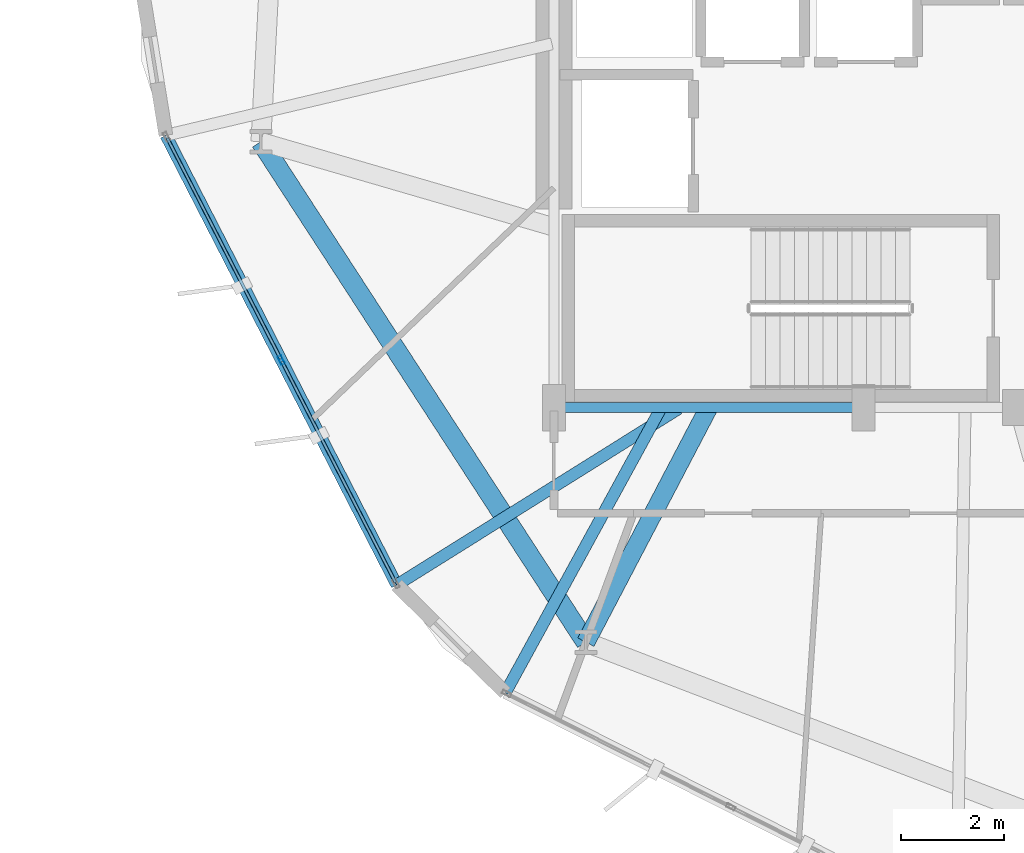
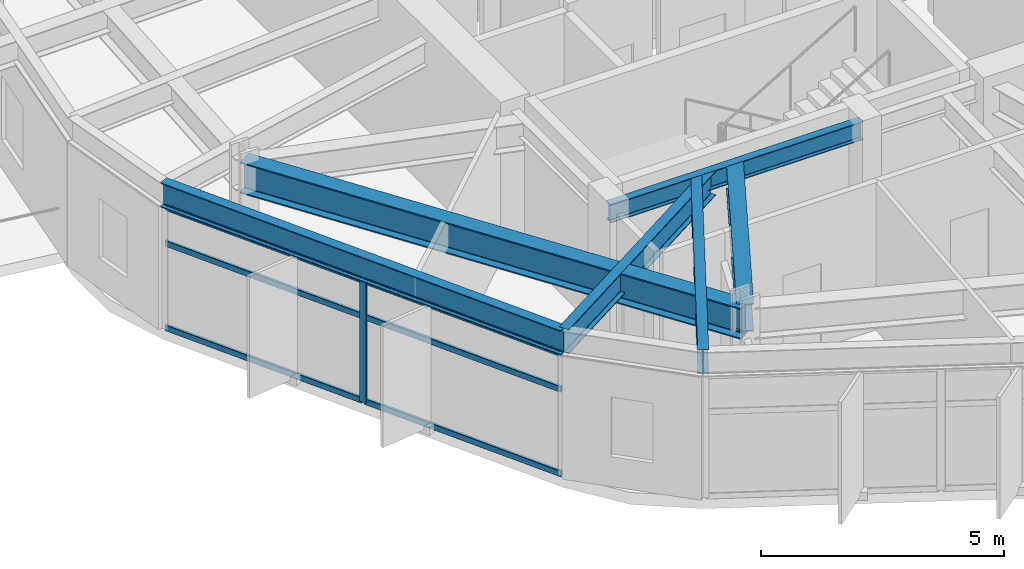
# One storey, part 3 of 23: 7 members, 6 beams, 1 element without a shape of its own.
"""IFC4 building model written with IfcOpenShell, lengths in metres."""

from ifc_helpers import new_model, si_unit, direction, frame, origin, origin_2d, place, context, subcontext, project, spatial, hollow_rectangle, i_section, extrude, material, layer, layer_set, material_profile, profile_set, type_object, element, aggregate, save


model = new_model("IFC4")

# Units and contexts
model_context = context("Model", 3, precision=1e-05, world=origin(), true_north=direction((0.0, 1.0)))
body_context = subcontext(model_context, "Body", "Model", "MODEL_VIEW")
ifc_project = project(units=[si_unit("LENGTHUNIT", "METRE"), si_unit("AREAUNIT", "SQUARE_METRE"), si_unit("VOLUMEUNIT", "CUBIC_METRE"), si_unit("PLANEANGLEUNIT", "RADIAN"), si_unit("MASSUNIT", "GRAM", prefix="KILO")], contexts=[model_context])

# Site, building, storey
site_placement = place(None, origin())
site = spatial("IfcSite", under=ifc_project, at=site_placement, CompositionType="ELEMENT")
building_placement = place(site_placement, origin())
building = spatial("IfcBuilding", under=site, at=building_placement, Name="Soratama Intermodal Tower", CompositionType="ELEMENT")
storey_placement = place(building_placement, frame((0.0, 0.0, 62.60009765625)))
storey = spatial("IfcBuildingStorey", under=building, at=storey_placement, Name="L14", CompositionType="ELEMENT", Elevation=62.60009765625)

# Beams
ifc_material_1 = material(Name="Structural steel ASTM A992 Grade 50", Category="steel")
ifc_material_profile_1 = material_profile(ifc_material_1, i_section(OverallWidth=0.19091796875, OverallDepth=0.4599609375, WebThickness=0.010009765625, FlangeThickness=0.01611328125, FilletRadius=0.010986328125, at=origin_2d()), Name="W18X55")
ifc_profile_set_1 = profile_set([ifc_material_profile_1], Name="Structural steel ASTM A992 Grade 50")
beam_type_1 = type_object("IfcBeamType", Name="BM-FLR-W18X55", PredefinedType="BEAM", material=ifc_profile_set_1)
beam_1_placement = place(storey_placement, frame((32.60009765625, 15.0, 3.469970703125), z_axis=(1.0, 0.0, 0.0), x_axis=(0.0, 1.0, 0.0)))
element("IfcBeam", 1, at=beam_1_placement, inside=storey, type_object=beam_type_1, Name="BM-L14-CRING-01", PredefinedType="BEAM", context=body_context, shape_type="SweptSolid", body=[
    extrude(i_section(OverallWidth=0.19091796875, OverallDepth=0.4599609375, WebThickness=0.010009765625, FlangeThickness=0.01611328125, FilletRadius=0.010986328125, at=origin_2d()), origin(), (0.0, 0.0, 1.0), 6.0),
])
ifc_material_2 = material(Name="Structural steel ASTM A992 Grade 50", Category="steel")
ifc_material_profile_2 = material_profile(ifc_material_2, i_section(OverallWidth=0.35498046875, OverallDepth=0.695068359375, WebThickness=0.015380859375, FlangeThickness=0.02490234375, FilletRadius=0.01611328125, at=origin_2d()), Name="W27X146")
ifc_profile_set_2 = profile_set([ifc_material_profile_2], Name="Structural steel ASTM A992 Grade 50")
beam_type_2 = type_object("IfcBeamType", Name="BM-RING-W27X146", PredefinedType="BEAM", material=ifc_profile_set_2)
beam_2_placement = place(storey_placement, frame((35.60009765625, 15.0, 3.352294921875), z_axis=(-0.463818619792, -0.885930182314, 0.0), x_axis=(0.885930182314, -0.463818619792, 0.0)))
element("IfcBeam", 2, at=beam_2_placement, inside=storey, type_object=beam_type_2, Name="BM-L14-RAD-07", PredefinedType="BEAM", context=body_context, shape_type="SweptSolid", body=[
    extrude(i_section(OverallWidth=0.35498046875, OverallDepth=0.695068359375, WebThickness=0.015380859375, FlangeThickness=0.02490234375, FilletRadius=0.01611328125, at=origin_2d()), origin(), (0.0, 0.0, 1.0), 5.1337890625),
])
ifc_material_3 = material(Name="Structural steel ASTM A992 Grade 50", Category="steel")
ifc_material_profile_3 = material_profile(ifc_material_3, i_section(OverallWidth=0.382080078125, OverallDepth=0.779052734375, WebThickness=0.01806640625, FlangeThickness=0.030029296875, FilletRadius=0.01806640625, at=origin_2d()), Name="W30X191")
ifc_profile_set_3 = profile_set([ifc_material_profile_3], Name="Structural steel ASTM A992 Grade 50")
beam_type_3 = type_object("IfcBeamType", Name="BM-RING-W30X191", PredefinedType="BEAM", material=ifc_profile_set_3)
beam_3_placement = place(storey_placement, frame((26.91796875, 20.155029296875, 3.310302734375), z_axis=(0.544623370352, -0.838680740489, 0.0), x_axis=(0.838680740489, 0.544623370352, 0.0)))
element("IfcBeam", 3, at=beam_3_placement, inside=storey, type_object=beam_type_3, Name="BM-L14-RING-06", PredefinedType="BEAM", context=body_context, shape_type="SweptSolid", body=[
    extrude(i_section(OverallWidth=0.382080078125, OverallDepth=0.779052734375, WebThickness=0.01806640625, FlangeThickness=0.030029296875, FilletRadius=0.01806640625, at=origin_2d()), origin(), (0.0, 0.0, 1.0), 11.569580078125),
])
ifc_material_4 = material(Name="Structural steel ASTM A992 Grade 50", Category="steel")
ifc_material_profile_4 = material_profile(ifc_material_4, i_section(OverallWidth=0.22900390625, OverallDepth=0.612060546875, WebThickness=0.011962890625, FlangeThickness=0.01953125, FilletRadius=0.012939453125, at=origin_2d()), Name="W24X84")
ifc_profile_set_4 = profile_set([ifc_material_profile_4], Name="Structural steel ASTM A992 Grade 50")
beam_type_4 = type_object("IfcBeamType", Name="BM-SPN-W24X84", PredefinedType="SPANDREL", material=ifc_profile_set_4)
beam_4_placement = place(storey_placement, frame((25.075927734375, 20.278076171875, 3.393798828125), z_axis=(0.456823332365, -0.889557442219, 0.0), x_axis=(0.889557442219, 0.456823332365, 0.0)))
element("IfcBeam", 4, at=beam_4_placement, inside=storey, type_object=beam_type_4, Name="BS-L14-F06", PredefinedType="SPANDREL", context=body_context, shape_type="SweptSolid", body=[
    extrude(i_section(OverallWidth=0.22900390625, OverallDepth=0.612060546875, WebThickness=0.011962890625, FlangeThickness=0.01953125, FilletRadius=0.012939453125, at=origin_2d()), origin(), (0.0, 0.0, 1.0), 9.80029296875),
])
ifc_material_5 = material(Name="Structural steel ASTM A992 Grade 50", Category="steel")
ifc_material_profile_5 = material_profile(ifc_material_5, i_section(OverallWidth=0.22900390625, OverallDepth=0.612060546875, WebThickness=0.011962890625, FlangeThickness=0.01953125, FilletRadius=0.012939453125, at=origin_2d()), Name="W24X84")
ifc_profile_set_5 = profile_set([ifc_material_profile_5], Name="Structural steel ASTM A992 Grade 50")
beam_type_5 = type_object("IfcBeamType", Name="BM-TIE-W24X84", PredefinedType="BEAM", material=ifc_profile_set_5)
beam_5_placement = place(storey_placement, frame((35.01904296875, 14.97900390625, 3.393798828125), z_axis=(-0.847813170073, -0.530295039247, 0.0), x_axis=(0.530295039247, -0.847813170073, 0.0)))
element("IfcBeam", 5, at=beam_5_placement, inside=storey, type_object=beam_type_5, Name="BM-L14-TIE1-06", PredefinedType="BEAM", context=body_context, shape_type="SweptSolid", body=[
    extrude(i_section(OverallWidth=0.22900390625, OverallDepth=0.612060546875, WebThickness=0.011962890625, FlangeThickness=0.01953125, FilletRadius=0.012939453125, at=origin_2d()), origin(), (0.0, 0.0, 1.0), 6.447265625),
])
beam_6_placement = place(storey_placement, frame((34.662109375, 14.965087890625, 3.393798828125), z_axis=(-0.479744835398, -0.877408053821, 0.0), x_axis=(0.877408053821, -0.479744835398, 0.0)))
element("IfcBeam", 6, at=beam_6_placement, inside=storey, type_object=beam_type_5, Name="BM-L14-TIE0-07", PredefinedType="BEAM", context=body_context, shape_type="SweptSolid", body=[
    extrude(i_section(OverallWidth=0.22900390625, OverallDepth=0.612060546875, WebThickness=0.011962890625, FlangeThickness=0.01953125, FilletRadius=0.012939453125, at=origin_2d()), origin(), (0.0, 0.0, 1.0), 6.263916015625),
])

# Curtain wall, members
ifc_material_6 = material(Name="Double-glazed aluminium curtain wall", Category="aluminium")
ifc_layer = layer(ifc_material_6, 0.159912109375)
ifc_layer_set = layer_set([ifc_layer], Name="Double-glazed aluminium curtain wall")
curtain_wall_type = type_object("IfcCurtainWallType", Name="CW-SYS-2", PredefinedType="NOTDEFINED", material=ifc_layer_set)
curtain_wall_placement = place(storey_placement, origin())
curtain_wall = element("IfcCurtainWall", 7, at=curtain_wall_placement, inside=storey, type_object=curtain_wall_type, Name="L14 Faceted Curtain Wall F06", PredefinedType="NOTDEFINED")
ifc_material_7 = material(Name="Anodised aluminium AA 6063-T6", Category="aluminium")
ifc_material_profile_6 = material_profile(ifc_material_7, hollow_rectangle(XDim=0.074951171875, YDim=0.179931640625, WallThickness=0.006103515625, InnerFilletRadius=0.006103515625, OuterFilletRadius=0.011962890625, at=origin_2d()), Name="CWM180X75X6")
ifc_profile_set_6 = profile_set([ifc_material_profile_6], Name="Anodised aluminium AA 6063-T6")
member_type_1 = type_object("IfcMemberType", Name="MT-CWM-2", PredefinedType="MULLION", material=ifc_profile_set_6)
member_1_placement = place(storey_placement, frame((27.314697265625, 15.918701171875, 0.0), z_axis=(0.0, 0.0, 1.0), x_axis=(0.889575647258, 0.456787880537, 0.0)))
member_1 = element("IfcMember", 8, at=member_1_placement, type_object=member_type_1, Name="CW-2 mullion 2", PredefinedType="MULLION", context=body_context, shape_type="SweptSolid", body=[
    extrude(hollow_rectangle(XDim=0.074951171875, YDim=0.179931640625, WallThickness=0.006103515625, InnerFilletRadius=0.006103515625, OuterFilletRadius=0.011962890625, at=origin_2d()), origin(), (0.0, 0.0, 1.0), 3.078857421875),
])
ifc_material_8 = material(Name="Anodised aluminium AA 6063-T6", Category="aluminium")
ifc_material_profile_7 = material_profile(ifc_material_8, hollow_rectangle(XDim=0.06494140625, YDim=0.14990234375, WallThickness=0.0048828125, InnerFilletRadius=0.0048828125, OuterFilletRadius=0.010009765625, at=origin_2d()), Name="CWT150X65X5")
ifc_profile_set_7 = profile_set([ifc_material_profile_7], Name="Anodised aluminium AA 6063-T6")
member_type_2 = type_object("IfcMemberType", Name="TT-CWT-1", PredefinedType="USERDEFINED", material=ifc_profile_set_7)
member_2_placement = place(storey_placement, frame((25.103759765625, 20.224365234375, 0.02978515625), z_axis=(0.456811198281, -0.889563673452, 0.0), x_axis=(0.889563673452, 0.456811198281, 0.0)))
member_2 = element("IfcMember", 9, at=member_2_placement, type_object=member_type_2, Name="CW-2 transom 1.1", ObjectType="TRANSOM", PredefinedType="USERDEFINED", context=body_context, shape_type="SweptSolid", body=[
    extrude(hollow_rectangle(XDim=0.06494140625, YDim=0.14990234375, WallThickness=0.0048828125, InnerFilletRadius=0.0048828125, OuterFilletRadius=0.010009765625, at=origin_2d()), origin(), (0.0, 0.0, 1.0), 4.81005859375),
])
member_3_placement = place(storey_placement, frame((25.103759765625, 20.224365234375, 2.14990234375), z_axis=(0.456811198281, -0.889563673452, 0.0), x_axis=(0.889563673452, 0.456811198281, 0.0)))
member_3 = element("IfcMember", 10, at=member_3_placement, type_object=member_type_2, Name="CW-2 transom 1.2", ObjectType="TRANSOM", PredefinedType="USERDEFINED", context=body_context, shape_type="SweptSolid", body=[
    extrude(hollow_rectangle(XDim=0.06494140625, YDim=0.14990234375, WallThickness=0.0048828125, InnerFilletRadius=0.0048828125, OuterFilletRadius=0.010009765625, at=origin_2d()), origin(), (0.0, 0.0, 1.0), 4.81005859375),
])
member_4_placement = place(storey_placement, frame((25.103759765625, 20.224365234375, 3.048828125), z_axis=(0.456811198281, -0.889563673452, 0.0), x_axis=(0.889563673452, 0.456811198281, 0.0)))
member_4 = element("IfcMember", 11, at=member_4_placement, type_object=member_type_2, Name="CW-2 transom 1.3", ObjectType="TRANSOM", PredefinedType="USERDEFINED", context=body_context, shape_type="SweptSolid", body=[
    extrude(hollow_rectangle(XDim=0.06494140625, YDim=0.14990234375, WallThickness=0.0048828125, InnerFilletRadius=0.0048828125, OuterFilletRadius=0.010009765625, at=origin_2d()), origin(), (0.0, 0.0, 1.0), 4.81005859375),
])
member_5_placement = place(storey_placement, frame((27.328369140625, 15.89208984375, 0.02978515625), z_axis=(0.456771031834, -0.889584298691, 0.0), x_axis=(0.889584298691, 0.456771031834, 0.0)))
member_5 = element("IfcMember", 12, at=member_5_placement, type_object=member_type_2, Name="CW-2 transom 2.1", ObjectType="TRANSOM", PredefinedType="USERDEFINED", context=body_context, shape_type="SweptSolid", body=[
    extrude(hollow_rectangle(XDim=0.06494140625, YDim=0.14990234375, WallThickness=0.0048828125, InnerFilletRadius=0.0048828125, OuterFilletRadius=0.010009765625, at=origin_2d()), origin(), (0.0, 0.0, 1.0), 4.809814453125),
])
member_6_placement = place(storey_placement, frame((27.328369140625, 15.89208984375, 2.14990234375), z_axis=(0.456771031834, -0.889584298691, 0.0), x_axis=(0.889584298691, 0.456771031834, 0.0)))
member_6 = element("IfcMember", 13, at=member_6_placement, type_object=member_type_2, Name="CW-2 transom 2.2", ObjectType="TRANSOM", PredefinedType="USERDEFINED", context=body_context, shape_type="SweptSolid", body=[
    extrude(hollow_rectangle(XDim=0.06494140625, YDim=0.14990234375, WallThickness=0.0048828125, InnerFilletRadius=0.0048828125, OuterFilletRadius=0.010009765625, at=origin_2d()), origin(), (0.0, 0.0, 1.0), 4.809814453125),
])
member_7_placement = place(storey_placement, frame((27.328369140625, 15.89208984375, 3.048828125), z_axis=(0.456771031834, -0.889584298691, 0.0), x_axis=(0.889584298691, 0.456771031834, 0.0)))
member_7 = element("IfcMember", 14, at=member_7_placement, type_object=member_type_2, Name="CW-2 transom 2.3", ObjectType="TRANSOM", PredefinedType="USERDEFINED", context=body_context, shape_type="SweptSolid", body=[
    extrude(hollow_rectangle(XDim=0.06494140625, YDim=0.14990234375, WallThickness=0.0048828125, InnerFilletRadius=0.0048828125, OuterFilletRadius=0.010009765625, at=origin_2d()), origin(), (0.0, 0.0, 1.0), 4.809814453125),
])
aggregate(curtain_wall, [member_1, member_2, member_3, member_4, member_5, member_6, member_7])

save(model, "model.ifc")
